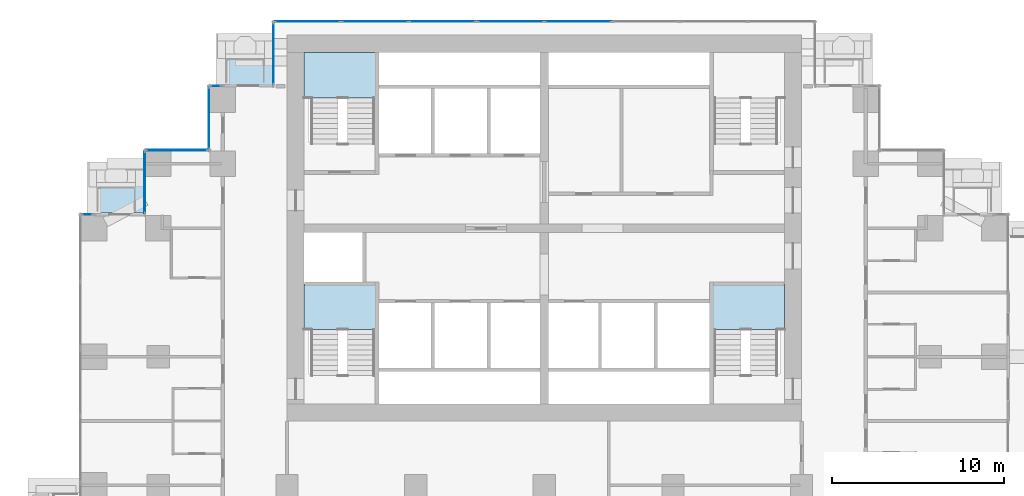
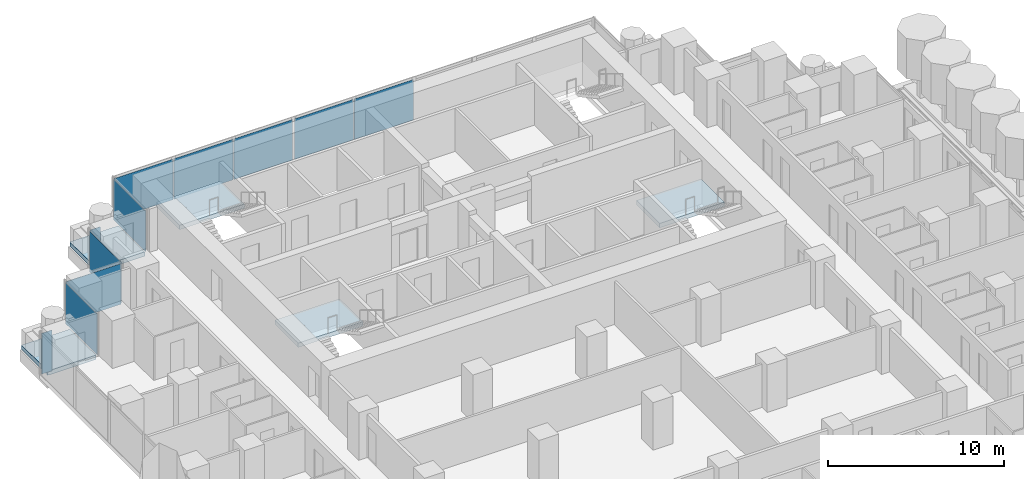
# One storey, part 9 of 19: 11 plates, 5 slabs, 11 elements without a shape of their own.
"""IFC4 building model written with IfcOpenShell, lengths in metres."""

from ifc_helpers import new_model, si_unit, direction, frame, origin, origin_2d, place, context, subcontext, project, spatial, polyline, rectangle, outline, extrude, material, layer, layer_set, type_object, element, aggregate, save


model = new_model("IFC4")

# Units and contexts
model_context = context("Model", 3, precision=1e-05, world=origin(), true_north=direction((0.0, 1.0)))
body_context = subcontext(model_context, "Body", "Model", "MODEL_VIEW")
ifc_project = project(units=[si_unit("LENGTHUNIT", "METRE"), si_unit("AREAUNIT", "SQUARE_METRE"), si_unit("VOLUMEUNIT", "CUBIC_METRE"), si_unit("PLANEANGLEUNIT", "RADIAN"), si_unit("MASSUNIT", "GRAM", prefix="KILO")], contexts=[model_context])

# Site, building, storey
site_placement = place(None, origin())
site = spatial("IfcSite", under=ifc_project, at=site_placement, CompositionType="ELEMENT")
building_placement = place(site_placement, origin())
building = spatial("IfcBuilding", under=site, at=building_placement, Name="Pilkhan Gate Tower", CompositionType="ELEMENT")
storey_placement = place(building_placement, frame((0.0, 0.0, 59.300048828125)))
storey = spatial("IfcBuildingStorey", under=building, at=storey_placement, Name="L12", CompositionType="ELEMENT", Elevation=59.300048828125)

# Slabs
ifc_material_1 = material(Name="Concrete C60/75", Category="concrete")
ifc_layer_1 = layer(ifc_material_1, 0.300048828125)
ifc_layer_set_1 = layer_set([ifc_layer_1], Name="Balcony tray slab TR300")
slab_type_1 = type_object("IfcSlabType", Name="Balcony tray slab TR300", PredefinedType="FLOOR", material=ifc_layer_set_1)
slab_1_placement = place(storey_placement, frame((0.0, 0.0, -0.300048828125)))
element("IfcSlab", 1, at=slab_1_placement, inside=storey, type_object=slab_type_1, Name="Balcony tray L12 N", PredefinedType="FLOOR", context=body_context, shape_type="SweptSolid", body=[
    extrude(outline(polyline([(59.14990234375, 90.85009765625), (59.14990234375, 93.85009765625), (55.949951171875, 93.85009765625), (55.949951171875, 90.85009765625), (59.14990234375, 90.85009765625)])), origin(), (0.0, 0.0, 1.0), 0.300048828125),
])
slab_2_placement = place(storey_placement, frame((0.0, 0.0, -0.300048828125)))
element("IfcSlab", 2, at=slab_2_placement, inside=storey, type_object=slab_type_1, Name="Balcony tray L12 N", PredefinedType="FLOOR", context=body_context, shape_type="SweptSolid", body=[
    extrude(outline(polyline([(51.6298828125, 83.3701171875), (51.6298828125, 86.35009765625), (48.449951171875, 86.35009765625), (48.449951171875, 83.3701171875), (51.6298828125, 83.3701171875)])), origin(), (0.0, 0.0, 1.0), 0.300048828125),
])

# Curtain wall, plates
ifc_material_2 = material(Name="Pale anodised aluminium, clear low-iron double glazing", Category="aluminium")
curtain_wall_type = type_object("IfcCurtainWallType", Name="Hotel unitised curtain wall CW-H", PredefinedType="USERDEFINED", material=ifc_material_2)
curtain_wall_1_placement = place(storey_placement, origin())
curtain_wall_1 = element("IfcCurtainWall", 3, at=curtain_wall_1_placement, inside=storey, type_object=curtain_wall_type, Name="Hotel unitised curtain wall CW-H L12 N", ObjectType="UNITISED CURTAIN WALL", PredefinedType="USERDEFINED")
ifc_material_3 = material(Name="Clear low-iron double glazing", Category="glass")
ifc_layer_2 = layer(ifc_material_3, 0.035888671875)
ifc_layer_set_2 = layer_set([ifc_layer_2], Name="Glass panel CW-H 36")
plate_type = type_object("IfcPlateType", Name="Glass panel CW-H 36", PredefinedType="CURTAIN_PANEL", material=ifc_layer_set_2)
plate_1_placement = place(storey_placement, frame((61.195556640625, 94.544921875, 0.0), z_axis=(0.0, 0.0, 1.0), x_axis=(1.0, 0.0, 0.0)))
plate_1 = element("IfcPlate", 4, at=plate_1_placement, type_object=plate_type, Name="CW-H panel 1", PredefinedType="CURTAIN_PANEL", context=body_context, shape_type="SweptSolid", body=[
    extrude(rectangle(XDim=3.851318359375, YDim=0.035888671875, at=origin_2d()), origin(), (0.0, 0.0, 1.0), 2.820068359375),
])
plate_2_placement = place(storey_placement, frame((65.128173828125, 94.544921875, 0.0), z_axis=(0.0, 0.0, 1.0), x_axis=(1.0, 0.0, 0.0)))
plate_2 = element("IfcPlate", 5, at=plate_2_placement, type_object=plate_type, Name="CW-H panel 2", PredefinedType="CURTAIN_PANEL", context=body_context, shape_type="SweptSolid", body=[
    extrude(rectangle(XDim=3.8837890625, YDim=0.035888671875, at=origin_2d()), origin(), (0.0, 0.0, 1.0), 2.820068359375),
])
plate_3_placement = place(storey_placement, frame((69.060546875, 94.544921875, 0.0), z_axis=(0.0, 0.0, 1.0), x_axis=(1.0, 0.0, 0.0)))
plate_3 = element("IfcPlate", 6, at=plate_3_placement, type_object=plate_type, Name="CW-H panel 3", PredefinedType="CURTAIN_PANEL", context=body_context, shape_type="SweptSolid", body=[
    extrude(rectangle(XDim=3.851318359375, YDim=0.035888671875, at=origin_2d()), origin(), (0.0, 0.0, 1.0), 2.820068359375),
])
aggregate(curtain_wall_1, [plate_1, plate_2, plate_3])

curtain_wall_2_placement = place(storey_placement, origin())
curtain_wall_2 = element("IfcCurtainWall", 7, at=curtain_wall_2_placement, inside=storey, type_object=curtain_wall_type, Name="Hotel unitised curtain wall CW-H L12 N", ObjectType="UNITISED CURTAIN WALL", PredefinedType="USERDEFINED")
plate_4_placement = place(storey_placement, frame((73.0419921875, 94.544921875, 0.0), z_axis=(0.0, 0.0, 1.0), x_axis=(1.0, 0.0, 0.0)))
plate_4 = element("IfcPlate", 8, at=plate_4_placement, type_object=plate_type, Name="CW-H panel 1", PredefinedType="CURTAIN_PANEL", context=body_context, shape_type="SweptSolid", body=[
    extrude(rectangle(XDim=3.851318359375, YDim=0.035888671875, at=origin_2d()), origin(), (0.0, 0.0, 1.0), 2.820068359375),
])
plate_5_placement = place(storey_placement, frame((76.974365234375, 94.544921875, 0.0), z_axis=(0.0, 0.0, 1.0), x_axis=(1.0, 0.0, 0.0)))
plate_5 = element("IfcPlate", 9, at=plate_5_placement, type_object=plate_type, Name="CW-H panel 2", PredefinedType="CURTAIN_PANEL", context=body_context, shape_type="SweptSolid", body=[
    extrude(rectangle(XDim=3.8837890625, YDim=0.035888671875, at=origin_2d()), origin(), (0.0, 0.0, 1.0), 2.820068359375),
])
aggregate(curtain_wall_2, [plate_4, plate_5])

# Curtain wall, plate
curtain_wall_3_placement = place(storey_placement, origin())
curtain_wall_3 = element("IfcCurtainWall", 10, at=curtain_wall_3_placement, inside=storey, type_object=curtain_wall_type, Name="Hotel unitised curtain wall CW-H L12 W", ObjectType="UNITISED CURTAIN WALL", PredefinedType="USERDEFINED")
plate_6_placement = place(storey_placement, frame((59.205078125, 92.669921875, 0.0), z_axis=(0.0, 0.0, 1.0), x_axis=(0.0, 1.0, 0.0)))
plate_6 = element("IfcPlate", 11, at=plate_6_placement, type_object=plate_type, Name="CW-H panel 1", PredefinedType="CURTAIN_PANEL", context=body_context, shape_type="SweptSolid", body=[
    extrude(rectangle(XDim=3.6201171875, YDim=0.035888671875, at=origin_2d()), origin(), (0.0, 0.0, 1.0), 2.820068359375),
])
aggregate(curtain_wall_3, [plate_6])

curtain_wall_4_placement = place(storey_placement, origin())
curtain_wall_4 = element("IfcCurtainWall", 12, at=curtain_wall_4_placement, inside=storey, type_object=curtain_wall_type, Name="Hotel unitised curtain wall CW-H L12 N", ObjectType="UNITISED CURTAIN WALL", PredefinedType="USERDEFINED")
plate_7_placement = place(storey_placement, frame((55.8525390625, 90.794921875, 0.0), z_axis=(0.0, 0.0, 1.0), x_axis=(1.0, 0.0, 0.0)))
plate_7 = element("IfcPlate", 13, at=plate_7_placement, type_object=plate_type, Name="CW-H panel 1", PredefinedType="CURTAIN_PANEL", context=body_context, shape_type="SweptSolid", body=[
    extrude(rectangle(XDim=0.6650390625, YDim=0.035888671875, at=origin_2d()), origin(), (0.0, 0.0, 1.0), 2.820068359375),
])
aggregate(curtain_wall_4, [plate_7])

curtain_wall_5_placement = place(storey_placement, origin())
curtain_wall_5 = element("IfcCurtainWall", 14, at=curtain_wall_5_placement, inside=storey, type_object=curtain_wall_type, Name="Hotel unitised curtain wall CW-H L12 W", ObjectType="UNITISED CURTAIN WALL", PredefinedType="USERDEFINED")
plate_8_placement = place(storey_placement, frame((55.455078125, 88.919921875, 0.0), z_axis=(0.0, 0.0, 1.0), x_axis=(0.0, 1.0, 0.0)))
plate_8 = element("IfcPlate", 15, at=plate_8_placement, type_object=plate_type, Name="CW-H panel 1", PredefinedType="CURTAIN_PANEL", context=body_context, shape_type="SweptSolid", body=[
    extrude(rectangle(XDim=3.6201171875, YDim=0.035888671875, at=origin_2d()), origin(), (0.0, 0.0, 1.0), 2.820068359375),
])
aggregate(curtain_wall_5, [plate_8])

curtain_wall_6_placement = place(storey_placement, origin())
curtain_wall_6 = element("IfcCurtainWall", 16, at=curtain_wall_6_placement, inside=storey, type_object=curtain_wall_type, Name="Hotel unitised curtain wall CW-H L12 N", ObjectType="UNITISED CURTAIN WALL", PredefinedType="USERDEFINED")
plate_9_placement = place(storey_placement, frame((53.580078125, 87.044921875, 0.0), z_axis=(0.0, 0.0, 1.0), x_axis=(1.0, 0.0, 0.0)))
plate_9 = element("IfcPlate", 17, at=plate_9_placement, type_object=plate_type, Name="CW-H panel 1", PredefinedType="CURTAIN_PANEL", context=body_context, shape_type="SweptSolid", body=[
    extrude(rectangle(XDim=3.6201171875, YDim=0.035888671875, at=origin_2d()), origin(), (0.0, 0.0, 1.0), 2.820068359375),
])
aggregate(curtain_wall_6, [plate_9])

curtain_wall_7_placement = place(storey_placement, origin())
curtain_wall_7 = element("IfcCurtainWall", 18, at=curtain_wall_7_placement, inside=storey, type_object=curtain_wall_type, Name="Hotel unitised curtain wall CW-H L12 W", ObjectType="UNITISED CURTAIN WALL", PredefinedType="USERDEFINED")
plate_10_placement = place(storey_placement, frame((51.705078125, 85.169921875, 0.0), z_axis=(0.0, 0.0, 1.0), x_axis=(0.0, 1.0, 0.0)))
plate_10 = element("IfcPlate", 19, at=plate_10_placement, type_object=plate_type, Name="CW-H panel 1", PredefinedType="CURTAIN_PANEL", context=body_context, shape_type="SweptSolid", body=[
    extrude(rectangle(XDim=3.6201171875, YDim=0.035888671875, at=origin_2d()), origin(), (0.0, 0.0, 1.0), 2.820068359375),
])
aggregate(curtain_wall_7, [plate_10])

curtain_wall_8_placement = place(storey_placement, origin())
curtain_wall_8 = element("IfcCurtainWall", 20, at=curtain_wall_8_placement, inside=storey, type_object=curtain_wall_type, Name="Hotel unitised curtain wall CW-H L12 N", ObjectType="UNITISED CURTAIN WALL", PredefinedType="USERDEFINED")
plate_11_placement = place(storey_placement, frame((48.3525390625, 83.294921875, 0.0), z_axis=(0.0, 0.0, 1.0), x_axis=(1.0, 0.0, 0.0)))
plate_11 = element("IfcPlate", 21, at=plate_11_placement, type_object=plate_type, Name="CW-H panel 1", PredefinedType="CURTAIN_PANEL", context=body_context, shape_type="SweptSolid", body=[
    extrude(rectangle(XDim=0.6650390625, YDim=0.035888671875, at=origin_2d()), origin(), (0.0, 0.0, 1.0), 2.820068359375),
])
aggregate(curtain_wall_8, [plate_11])

# Stair, slab
ifc_material_4 = material(Name="Concrete C40/50 precast", Category="concrete")
stair_type_1 = type_object("IfcStairType", Name="Stair ST1 165x300", PredefinedType="HALF_TURN_STAIR", material=ifc_material_4)
stair_1_placement = place(storey_placement, origin())
stair_1 = element("IfcStair", 22, at=stair_1_placement, inside=storey, type_object=stair_type_1, Name="Stair ST1 L12", PredefinedType="HALF_TURN_STAIR")
ifc_material_5 = material(Name="Concrete C40/50", Category="concrete")
ifc_layer_3 = layer(ifc_material_5, 0.199951171875)
ifc_layer_set_3 = layer_set([ifc_layer_3], Name="Stair landing SL200")
slab_type_2 = type_object("IfcSlabType", Name="Stair landing SL200", PredefinedType="LANDING", material=ifc_layer_set_3)
slab_3_placement = place(storey_placement, frame((0.0, 0.0, 1.349853515625)))
slab_3 = element("IfcSlab", 23, at=slab_3_placement, type_object=slab_type_2, Name="ST1 landing 1", PredefinedType="LANDING", context=body_context, shape_type="SweptSolid", body=[
    extrude(outline(polyline([(89.0, 76.60009765625), (89.0, 79.25), (84.75, 79.25), (84.75, 76.60009765625), (89.0, 76.60009765625)])), origin(), (0.0, 0.0, 1.0), 0.300048828125),
])
aggregate(stair_1, [slab_3])

stair_type_2 = type_object("IfcStairType", Name="Stair ST2 165x300", PredefinedType="HALF_TURN_STAIR", material=ifc_material_4)
stair_2_placement = place(storey_placement, origin())
stair_2 = element("IfcStair", 24, at=stair_2_placement, inside=storey, type_object=stair_type_2, Name="Stair ST2 L12", PredefinedType="HALF_TURN_STAIR")
slab_4_placement = place(storey_placement, frame((0.0, 0.0, 1.349853515625)))
slab_4 = element("IfcSlab", 25, at=slab_4_placement, type_object=slab_type_2, Name="ST2 landing 1", PredefinedType="LANDING", context=body_context, shape_type="SweptSolid", body=[
    extrude(outline(polyline([(65.25, 76.60009765625), (65.25, 79.25), (61.0, 79.25), (61.0, 76.60009765625), (65.25, 76.60009765625)])), origin(), (0.0, 0.0, 1.0), 0.300048828125),
])
aggregate(stair_2, [slab_4])

stair_type_3 = type_object("IfcStairType", Name="Stair ST3 165x300", PredefinedType="HALF_TURN_STAIR", material=ifc_material_4)
stair_3_placement = place(storey_placement, origin())
stair_3 = element("IfcStair", 26, at=stair_3_placement, inside=storey, type_object=stair_type_3, Name="Stair ST3 L12", PredefinedType="HALF_TURN_STAIR")
slab_5_placement = place(storey_placement, frame((0.0, 0.0, 1.349853515625)))
slab_5 = element("IfcSlab", 27, at=slab_5_placement, type_object=slab_type_2, Name="ST3 landing 1", PredefinedType="LANDING", context=body_context, shape_type="SweptSolid", body=[
    extrude(outline(polyline([(65.25, 90.10009765625), (65.25, 92.75), (61.0, 92.75), (61.0, 90.10009765625), (65.25, 90.10009765625)])), origin(), (0.0, 0.0, 1.0), 0.300048828125),
])
aggregate(stair_3, [slab_5])

save(model, "model.ifc")
